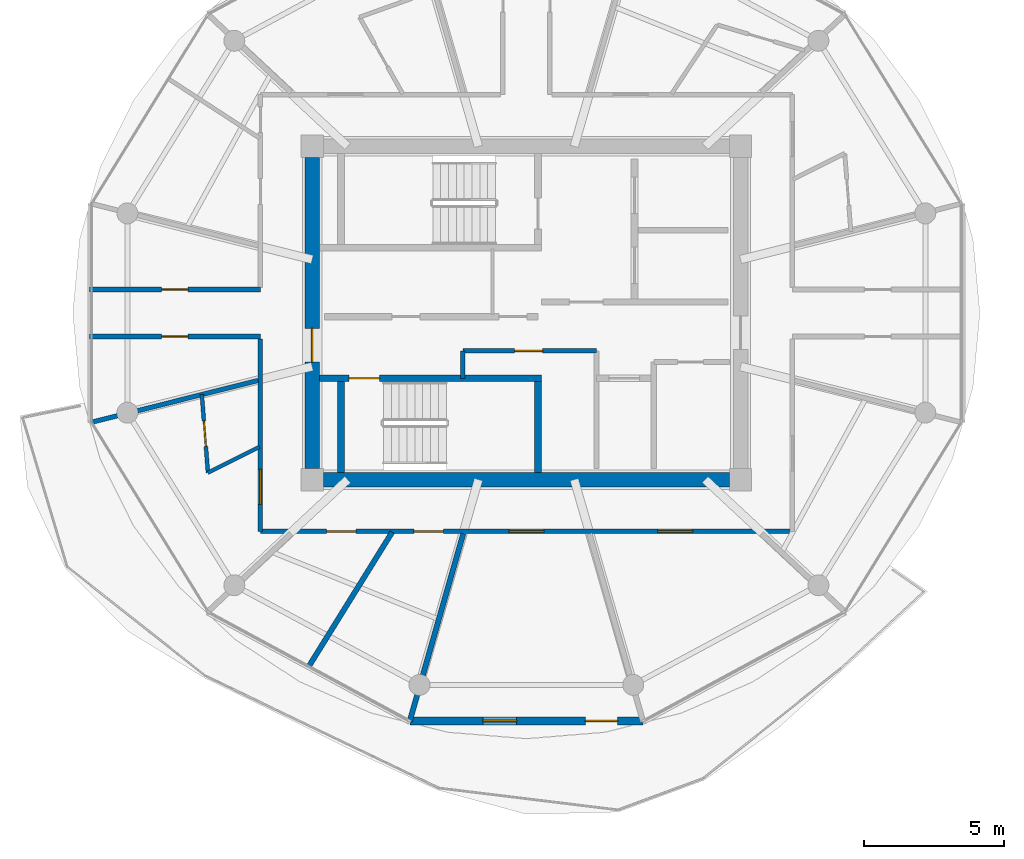
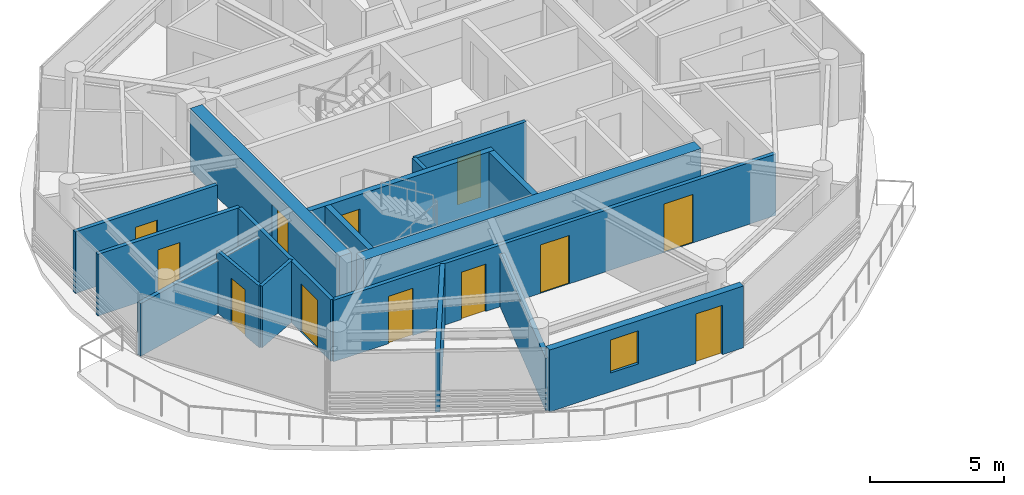
# One storey, part 9 of 19: 17 walls, 12 doors, 1 window, 13 openings.
"""IFC4 building model written with IfcOpenShell, lengths in metres."""

from ifc_helpers import new_model, si_unit, direction, frame, frame_2d, origin, place, context, subcontext, project, spatial, rectangle, extrude, source, transform, mapped, material, layer, layer_set, type_object, type_shapes, element, fill, save


model = new_model("IFC4")

# Units and contexts
model_context = context("Model", 3, precision=1e-05, world=origin(), true_north=direction((0.0, 1.0)))
body_context = subcontext(model_context, "Body", "Model", "MODEL_VIEW")
ifc_project = project(units=[si_unit("LENGTHUNIT", "METRE"), si_unit("AREAUNIT", "SQUARE_METRE"), si_unit("VOLUMEUNIT", "CUBIC_METRE"), si_unit("PLANEANGLEUNIT", "RADIAN"), si_unit("MASSUNIT", "GRAM", prefix="KILO")], contexts=[model_context])

# Site, building, storey
site_placement = place(None, origin())
site = spatial("IfcSite", under=ifc_project, at=site_placement, CompositionType="ELEMENT")
building_placement = place(site_placement, origin())
building = spatial("IfcBuilding", under=site, at=building_placement, Name="Norrkilde Senior Care Towers", CompositionType="ELEMENT")
storey_placement = place(building_placement, frame((0.0, 0.0, 235.25)))
storey = spatial("IfcBuildingStorey", under=building, at=storey_placement, Name="L73", CompositionType="ELEMENT", Elevation=235.25)

# Wall
ifc_material_1 = material(Name="Concrete C50/60", Category="concrete")
ifc_layer_1 = layer(ifc_material_1, 0.52001953125)
ifc_layer_set_1 = layer_set([ifc_layer_1], Name="Concrete C50/60")
wall_type_1 = type_object("IfcWallType", Name="Core Shear Wall Z4 520", PredefinedType="SHEAR", material=ifc_layer_set_1)
shared_shape_1 = source(origin(), body_context, "Body", "SweptSolid", [
    extrude(rectangle(XDim=14.5, YDim=0.52001953125, at=frame_2d((7.25, 0.0))), origin(), (0.0, 0.0, 1.0), 2.81005859375),
])
wall_1_placement = place(storey_placement, frame((-20.75, -5.949951171875, 0.0), z_axis=(0.0, 0.0, 1.0), x_axis=(-1.0, 0.0, 0.0)))
element("IfcWall", 1, at=wall_1_placement, inside=storey, type_object=wall_type_1, Name="L73 Core W South Shear Wall", PredefinedType="SHEAR", context=body_context, shape_type="MappedRepresentation", body=[
    mapped(shared_shape_1, transform((0.0, 0.0, 0.0), x_axis=(1.0, 0.0, 0.0), y_axis=(0.0, 1.0, 0.0), z_axis=(0.0, 0.0, 1.0), scale=1.0)),
])

# Wall, opening, door
shared_shape_2 = source(origin(), body_context, "Body", "SweptSolid", [
    extrude(rectangle(XDim=11.10009765625, YDim=0.52001953125, at=frame_2d((5.550048828125, 0.0))), origin(), (0.0, 0.0, 1.0), 2.81005859375),
])
type_shapes(wall_type_1, [shared_shape_1, shared_shape_2])
wall_2_placement = place(storey_placement, frame((-35.64990234375, -5.550048828125, 0.0), z_axis=(0.0, 0.0, 1.0), x_axis=(0.0, 1.0, 0.0)))
wall_2 = element("IfcWall", 2, at=wall_2_placement, inside=storey, type_object=wall_type_1, Name="L73 Core W West Shear Wall", PredefinedType="SHEAR", context=body_context, shape_type="MappedRepresentation", body=[
    mapped(shared_shape_2, transform((0.0, 0.0, 0.0), x_axis=(1.0, 0.0, 0.0), y_axis=(0.0, 1.0, 0.0), z_axis=(0.0, 0.0, 1.0), scale=1.0)),
])
opening_1_placement = place(wall_2_placement, frame((3.800048828125, 0.0, 0.0)))
opening_1 = element("IfcOpeningElement", 3, at=opening_1_placement, cuts=wall_2, Name="Opening D-04", PredefinedType="OPENING", context=body_context, shape_type="SweptSolid", body=[
    extrude(rectangle(XDim=1.199951171875, YDim=2.14990234375, at=frame_2d((0.60009765625, 1.074951171875))), frame((0.0, 0.27001953125, 0.0), z_axis=(0.0, -1.0, 0.0), x_axis=(1.0, 0.0, 0.0)), (0.0, 0.0, 1.0), 0.5400390625),
])
ifc_material_2 = material(Name="Galvanised Painted Steel", Category="steel")
door_type_1 = type_object("IfcDoorType", Name="Firefighting Lobby Fire Door 1200x2150", OperationType="NOTDEFINED", PredefinedType="DOOR", material=ifc_material_2)
shared_shape_3 = source(origin(), body_context, "Body", "SweptSolid", [
    extrude(rectangle(XDim=1.199951171875, YDim=2.14990234375, at=frame_2d((0.60009765625, 1.074951171875))), frame((0.0, 0.02490234375, 0.0), z_axis=(0.0, -1.0, 0.0), x_axis=(1.0, 0.0, 0.0)), (0.0, 0.0, 1.0), 0.050048828125),
])
type_shapes(door_type_1, [shared_shape_3])
door_1_placement = place(opening_1_placement, frame((1.199951171875, 0.0, 0.0), z_axis=(0.0, 0.0, 1.0), x_axis=(-1.0, 0.0, 0.0)))
door_1 = element("IfcDoor", 4, at=door_1_placement, inside=storey, type_object=door_type_1, Name="L73 Core W West Portal Door", OperationType="SINGLE_SWING_LEFT", OverallHeight=2.14990234375, OverallWidth=1.199951171875, PredefinedType="DOOR", context=body_context, shape_type="MappedRepresentation", body=[
    mapped(shared_shape_3, transform((0.0, 0.0, 0.0), x_axis=(1.0, 0.0, 0.0), y_axis=(0.0, 1.0, 0.0), z_axis=(0.0, 0.0, 1.0), scale=1.0)),
])
fill(opening_1, door_1)

# Wall, openings, door, window
ifc_material_3 = material(Name="Precast concrete C45/55", Category="concrete")
ifc_layer_2 = layer(ifc_material_3, 0.2900390625)
ifc_layer_set_2 = layer_set([ifc_layer_2], Name="Precast concrete C45/55")
wall_type_2 = type_object("IfcWallType", Name="Winter Garden Facade Wall 290", PredefinedType="SOLIDWALL", material=ifc_layer_set_2)
shared_shape_4 = source(origin(), body_context, "Body", "SweptSolid", [
    extrude(rectangle(XDim=8.32373046875, YDim=0.2900390625, at=frame_2d((4.161865234375, 0.0))), origin(), (0.0, 0.0, 1.0), 2.81005859375),
])
type_shapes(wall_type_2, [shared_shape_4])
wall_3_placement = place(storey_placement, frame((-23.838134765625, -14.566162109375, 0.0), z_axis=(0.0, 0.0, 1.0), x_axis=(-1.0, 0.0, 0.0)))
wall_3 = element("IfcWall", 5, at=wall_3_placement, inside=storey, type_object=wall_type_2, Name="L73 Drum W Balcony Access Wall 08", PredefinedType="SOLIDWALL", context=body_context, shape_type="MappedRepresentation", body=[
    mapped(shared_shape_4, transform((0.0, 0.0, 0.0), x_axis=(1.0, 0.0, 0.0), y_axis=(0.0, 1.0, 0.0), z_axis=(0.0, 0.0, 1.0), scale=1.0)),
])
opening_2_placement = place(wall_3_placement, frame((0.89990234375, 0.0, 0.0)))
opening_2 = element("IfcOpeningElement", 6, at=opening_2_placement, cuts=wall_3, Name="Opening D-09", PredefinedType="OPENING", context=body_context, shape_type="SweptSolid", body=[
    extrude(rectangle(XDim=1.14990234375, YDim=2.25, at=frame_2d((0.574951171875, 1.125))), frame((0.0, 0.155029296875, 0.0), z_axis=(0.0, -1.0, 0.0), x_axis=(1.0, 0.0, 0.0)), (0.0, 0.0, 1.0), 0.31005859375),
])
opening_3_placement = place(wall_3_placement, frame((4.51171875, 0.0, 0.85009765625)))
opening_3 = element("IfcOpeningElement", 7, at=opening_3_placement, cuts=wall_3, Name="Opening WN-07", PredefinedType="OPENING", context=body_context, shape_type="SweptSolid", body=[
    extrude(rectangle(XDim=1.199951171875, YDim=1.5, at=frame_2d((0.60009765625, 0.75))), frame((0.0, 0.155029296875, 0.0), z_axis=(0.0, -1.0, 0.0), x_axis=(1.0, 0.0, 0.0)), (0.0, 0.0, 1.0), 0.31005859375),
])
ifc_material_4 = material(Name="Anodised Aluminium", Category="aluminium")
door_type_2 = type_object("IfcDoorType", Name="Terrace and Balcony Glazed Door 1150x2250", OperationType="NOTDEFINED", PredefinedType="DOOR", material=ifc_material_4)
shared_shape_5 = source(origin(), body_context, "Body", "SweptSolid", [
    extrude(rectangle(XDim=1.14990234375, YDim=2.25, at=frame_2d((0.574951171875, 1.125))), frame((0.0, 0.02490234375, 0.0), z_axis=(0.0, -1.0, 0.0), x_axis=(1.0, 0.0, 0.0)), (0.0, 0.0, 1.0), 0.050048828125),
])
type_shapes(door_type_2, [shared_shape_5])
door_2_placement = place(opening_2_placement, origin())
door_2 = element("IfcDoor", 8, at=door_2_placement, inside=storey, type_object=door_type_2, Name="L73 Drum W Outdoor Terrace Door 08", OperationType="SINGLE_SWING_LEFT", OverallHeight=2.25, OverallWidth=1.14990234375, PredefinedType="DOOR", context=body_context, shape_type="MappedRepresentation", body=[
    mapped(shared_shape_5, transform((0.0, 0.0, 0.0), x_axis=(1.0, 0.0, 0.0), y_axis=(0.0, 1.0, 0.0), z_axis=(0.0, 0.0, 1.0), scale=1.0)),
])
fill(opening_2, door_2)
ifc_material_5 = material(Name="Triple Low-E Insulated Glazing", Category="glass")
window_type = type_object("IfcWindowType", Name="Stairwell Smoke Vent Window 1200x1500", PartitioningType="SINGLE_PANEL", PredefinedType="WINDOW", material=ifc_material_5)
shared_shape_6 = source(origin(), body_context, "Body", "SweptSolid", [
    extrude(rectangle(XDim=1.199951171875, YDim=1.5, at=frame_2d((0.60009765625, 0.75))), frame((0.0, 0.030029296875, 0.0), z_axis=(0.0, -1.0, 0.0), x_axis=(1.0, 0.0, 0.0)), (0.0, 0.0, 1.0), 0.06005859375),
])
type_shapes(window_type, [shared_shape_6])
window_placement = place(opening_3_placement, origin())
window = element("IfcWindow", 9, at=window_placement, inside=storey, type_object=window_type, Name="L73 Drum W Winter Garden Window 08", OverallHeight=1.5, OverallWidth=1.199951171875, PartitioningType="SINGLE_PANEL", PredefinedType="WINDOW", context=body_context, shape_type="MappedRepresentation", body=[
    mapped(shared_shape_6, transform((0.0, 0.0, 0.0), x_axis=(1.0, 0.0, 0.0), y_axis=(0.0, 1.0, 0.0), z_axis=(0.0, 0.0, 1.0), scale=1.0)),
])
fill(opening_3, window)

# Wall, opening, door
ifc_material_6 = material(Name="Gypsum Acoustic Board")
ifc_layer_3 = layer(ifc_material_6, 0.1650390625)
ifc_layer_set_3 = layer_set([ifc_layer_3], Name="Gypsum Acoustic Board")
wall_type_3 = type_object("IfcWallType", Name="Corridor Rated Partition 165", PredefinedType="PARTITIONING", material=ifc_layer_set_3)
shared_shape_7 = source(origin(), body_context, "Body", "SweptSolid", [
    extrude(rectangle(XDim=4.77001953125, YDim=0.1650390625, at=frame_2d((2.385009765625, 0.0))), origin(), (0.0, 0.0, 1.0), 2.794921875),
])
wall_4_placement = place(storey_placement, frame((-30.27001953125, -1.35009765625, 0.0), z_axis=(0.0, 0.0, 1.0), x_axis=(1.0, 0.0, 0.0)))
wall_4 = element("IfcWall", 10, at=wall_4_placement, inside=storey, type_object=wall_type_3, Name="WL-INT-L73-W-FR2N", PredefinedType="PARTITIONING", context=body_context, shape_type="MappedRepresentation", body=[
    mapped(shared_shape_7, transform((0.0, 0.0, 0.0), x_axis=(1.0, 0.0, 0.0), y_axis=(0.0, 1.0, 0.0), z_axis=(0.0, 0.0, 1.0), scale=1.0)),
])
opening_4_placement = place(wall_4_placement, frame((1.85009765625, 0.0, 0.0)))
opening_4 = element("IfcOpeningElement", 11, at=opening_4_placement, cuts=wall_4, Name="Opening D-10", PredefinedType="OPENING", context=body_context, shape_type="SweptSolid", body=[
    extrude(rectangle(XDim=1.0, YDim=2.10009765625, at=frame_2d((0.5, 1.050048828125))), frame((0.0, 0.092529296875, 0.0), z_axis=(0.0, -1.0, 0.0), x_axis=(1.0, 0.0, 0.0)), (0.0, 0.0, 1.0), 0.18505859375),
])
door_type_3 = type_object("IfcDoorType", Name="Plant and Riser Rated Door 1000x2100", OperationType="NOTDEFINED", PredefinedType="DOOR", material=ifc_material_2)
shared_shape_8 = source(origin(), body_context, "Body", "SweptSolid", [
    extrude(rectangle(XDim=1.0, YDim=2.10009765625, at=frame_2d((0.5, 1.050048828125))), frame((0.0, 0.02490234375, 0.0), z_axis=(0.0, -1.0, 0.0), x_axis=(1.0, 0.0, 0.0)), (0.0, 0.0, 1.0), 0.050048828125),
])
type_shapes(door_type_3, [shared_shape_8])
door_3_placement = place(opening_4_placement, origin())
door_3 = element("IfcDoor", 12, at=door_3_placement, inside=storey, type_object=door_type_3, Name="L73 Core Pantry W Door", OperationType="SINGLE_SWING_RIGHT", OverallHeight=2.10009765625, OverallWidth=1.0, PredefinedType="DOOR", context=body_context, shape_type="MappedRepresentation", body=[
    mapped(shared_shape_8, transform((0.0, 0.0, 0.0), x_axis=(1.0, 0.0, 0.0), y_axis=(0.0, 1.0, 0.0), z_axis=(0.0, 0.0, 1.0), scale=1.0)),
])
fill(opening_4, door_3)

# Wall
shared_shape_9 = source(origin(), body_context, "Body", "SweptSolid", [
    extrude(rectangle(XDim=0.97998046875, YDim=0.1650390625, at=frame_2d((0.489990234375, 0.0))), origin(), (0.0, 0.0, 1.0), 2.794921875),
])
wall_5_placement = place(storey_placement, frame((-30.27001953125, -2.330078125, 0.0), z_axis=(0.0, 0.0, 1.0), x_axis=(0.0, 1.0, 0.0)))
element("IfcWall", 13, at=wall_5_placement, inside=storey, type_object=wall_type_3, Name="WL-INT-L73-W-FR2W", PredefinedType="PARTITIONING", context=body_context, shape_type="MappedRepresentation", body=[
    mapped(shared_shape_9, transform((0.0, 0.0, 0.0), x_axis=(1.0, 0.0, 0.0), y_axis=(0.0, 1.0, 0.0), z_axis=(0.0, 0.0, 1.0), scale=1.0)),
])

# Wall, openings, doors
shared_shape_10 = source(origin(), body_context, "Body", "SweptSolid", [
    extrude(rectangle(XDim=19.0, YDim=0.1650390625, at=frame_2d((9.5, 0.0))), origin(), (0.0, 0.0, 1.0), 2.794921875),
])
wall_6_placement = place(storey_placement, frame((-18.5, -7.800048828125, 0.0), z_axis=(0.0, 0.0, 1.0), x_axis=(-1.0, 0.0, 0.0)))
wall_6 = element("IfcWall", 14, at=wall_6_placement, inside=storey, type_object=wall_type_3, Name="WL-INT-L73-W-CRW-S-0", PredefinedType="PARTITIONING", context=body_context, shape_type="MappedRepresentation", body=[
    mapped(shared_shape_10, transform((0.0, 0.0, 0.0), x_axis=(1.0, 0.0, 0.0), y_axis=(0.0, 1.0, 0.0), z_axis=(0.0, 0.0, 1.0), scale=1.0)),
])
opening_5_placement = place(wall_6_placement, frame((15.586181640625, 0.0, 0.0)))
opening_5 = element("IfcOpeningElement", 15, at=opening_5_placement, cuts=wall_6, Name="Opening D-06", PredefinedType="OPENING", context=body_context, shape_type="SweptSolid", body=[
    extrude(rectangle(XDim=1.050048828125, YDim=2.14990234375, at=frame_2d((0.52490234375, 1.074951171875))), frame((0.0, 0.092529296875, 0.0), z_axis=(0.0, -1.0, 0.0), x_axis=(1.0, 0.0, 0.0)), (0.0, 0.0, 1.0), 0.18505859375),
])
opening_6_placement = place(wall_6_placement, frame((12.465087890625, 0.0, 0.0)))
opening_6 = element("IfcOpeningElement", 16, at=opening_6_placement, cuts=wall_6, Name="Opening D-06", PredefinedType="OPENING", context=body_context, shape_type="SweptSolid", body=[
    extrude(rectangle(XDim=1.050048828125, YDim=2.14990234375, at=frame_2d((0.52490234375, 1.074951171875))), frame((0.0, 0.092529296875, 0.0), z_axis=(0.0, -1.0, 0.0), x_axis=(1.0, 0.0, 0.0)), (0.0, 0.0, 1.0), 0.18505859375),
])
opening_7_placement = place(wall_6_placement, frame((8.875, 0.0, 0.0)))
opening_7 = element("IfcOpeningElement", 17, at=opening_7_placement, cuts=wall_6, Name="Opening D-05", PredefinedType="OPENING", context=body_context, shape_type="SweptSolid", body=[
    extrude(rectangle(XDim=1.25, YDim=2.199951171875, at=frame_2d((0.625, 1.10009765625))), frame((0.0, 0.092529296875, 0.0), z_axis=(0.0, -1.0, 0.0), x_axis=(1.0, 0.0, 0.0)), (0.0, 0.0, 1.0), 0.18505859375),
])
opening_8_placement = place(wall_6_placement, frame((3.55859375, 0.0, 0.0)))
opening_8 = element("IfcOpeningElement", 18, at=opening_8_placement, cuts=wall_6, Name="Opening D-05", PredefinedType="OPENING", context=body_context, shape_type="SweptSolid", body=[
    extrude(rectangle(XDim=1.25, YDim=2.199951171875, at=frame_2d((0.625, 1.10009765625))), frame((0.0, 0.092529296875, 0.0), z_axis=(0.0, -1.0, 0.0), x_axis=(1.0, 0.0, 0.0)), (0.0, 0.0, 1.0), 0.18505859375),
])
ifc_material_7 = material(Name="Nordic Ash Timber", Category="wood")
door_type_4 = type_object("IfcDoorType", Name="Care Bedroom Bariatric Door 1250x2200", OperationType="NOTDEFINED", PredefinedType="DOOR", material=ifc_material_7)
shared_shape_11 = source(origin(), body_context, "Body", "SweptSolid", [
    extrude(rectangle(XDim=1.25, YDim=2.199951171875, at=frame_2d((0.625, 1.10009765625))), frame((0.0, 0.02490234375, 0.0), z_axis=(0.0, -1.0, 0.0), x_axis=(1.0, 0.0, 0.0)), (0.0, 0.0, 1.0), 0.050048828125),
])
type_shapes(door_type_4, [shared_shape_11])
door_4_placement = place(opening_7_placement, frame((1.25, 0.0, 0.0), z_axis=(0.0, 0.0, 1.0), x_axis=(-1.0, 0.0, 0.0)))
door_4 = element("IfcDoor", 19, at=door_4_placement, inside=storey, type_object=door_type_4, Name="L73 Resident Therapeutic Day Lounge Door", OperationType="SINGLE_SWING_LEFT", OverallHeight=2.199951171875, OverallWidth=1.25, PredefinedType="DOOR", context=body_context, shape_type="MappedRepresentation", body=[
    mapped(shared_shape_11, transform((0.0, 0.0, 0.0), x_axis=(1.0, 0.0, 0.0), y_axis=(0.0, 1.0, 0.0), z_axis=(0.0, 0.0, 1.0), scale=1.0)),
])
fill(opening_7, door_4)
door_5_placement = place(opening_8_placement, frame((1.25, 0.0, 0.0), z_axis=(0.0, 0.0, 1.0), x_axis=(-1.0, 0.0, 0.0)))
door_5 = element("IfcDoor", 20, at=door_5_placement, inside=storey, type_object=door_type_4, Name="L73 Household Communal Dining Salon Door", OperationType="SINGLE_SWING_RIGHT", OverallHeight=2.199951171875, OverallWidth=1.25, PredefinedType="DOOR", context=body_context, shape_type="MappedRepresentation", body=[
    mapped(shared_shape_11, transform((0.0, 0.0, 0.0), x_axis=(1.0, 0.0, 0.0), y_axis=(0.0, 1.0, 0.0), z_axis=(0.0, 0.0, 1.0), scale=1.0)),
])
fill(opening_8, door_5)
door_type_5 = type_object("IfcDoorType", Name="Apartment Entrance Fire Door 1050x2150", OperationType="NOTDEFINED", PredefinedType="DOOR", material=ifc_material_7)
shared_shape_12 = source(origin(), body_context, "Body", "SweptSolid", [
    extrude(rectangle(XDim=1.050048828125, YDim=2.14990234375, at=frame_2d((0.52490234375, 1.074951171875))), frame((0.0, 0.02490234375, 0.0), z_axis=(0.0, -1.0, 0.0), x_axis=(1.0, 0.0, 0.0)), (0.0, 0.0, 1.0), 0.050048828125),
])
type_shapes(door_type_5, [shared_shape_12])
door_6_placement = place(opening_5_placement, frame((1.050048828125, 0.0, 0.0), z_axis=(0.0, 0.0, 1.0), x_axis=(-1.0, 0.0, 0.0)))
door_6 = element("IfcDoor", 21, at=door_6_placement, inside=storey, type_object=door_type_5, Name="L73 Physiotherapy Clinic 7A Door", OperationType="SINGLE_SWING_RIGHT", OverallHeight=2.14990234375, OverallWidth=1.050048828125, PredefinedType="DOOR", context=body_context, shape_type="MappedRepresentation", body=[
    mapped(shared_shape_12, transform((0.0, 0.0, 0.0), x_axis=(1.0, 0.0, 0.0), y_axis=(0.0, 1.0, 0.0), z_axis=(0.0, 0.0, 1.0), scale=1.0)),
])
fill(opening_5, door_6)
door_7_placement = place(opening_6_placement, frame((1.050048828125, 0.0, 0.0), z_axis=(0.0, 0.0, 1.0), x_axis=(-1.0, 0.0, 0.0)))
door_7 = element("IfcDoor", 22, at=door_7_placement, inside=storey, type_object=door_type_5, Name="L73 Assessment Clinic 7B Door", OperationType="SINGLE_SWING_LEFT", OverallHeight=2.14990234375, OverallWidth=1.050048828125, PredefinedType="DOOR", context=body_context, shape_type="MappedRepresentation", body=[
    mapped(shared_shape_12, transform((0.0, 0.0, 0.0), x_axis=(1.0, 0.0, 0.0), y_axis=(0.0, 1.0, 0.0), z_axis=(0.0, 0.0, 1.0), scale=1.0)),
])
fill(opening_6, door_7)

# Wall, opening, door
shared_shape_13 = source(origin(), body_context, "Body", "SweptSolid", [
    extrude(rectangle(XDim=6.880126953125, YDim=0.1650390625, at=frame_2d((3.43994140625, 0.0))), origin(), (0.0, 0.0, 1.0), 2.794921875),
])
wall_7_placement = place(storey_placement, frame((-37.5, -7.800048828125, 0.0), z_axis=(0.0, 0.0, 1.0), x_axis=(0.0, 1.0, 0.0)))
wall_7 = element("IfcWall", 23, at=wall_7_placement, inside=storey, type_object=wall_type_3, Name="WL-INT-L73-W-CRW-W-0", PredefinedType="PARTITIONING", context=body_context, shape_type="MappedRepresentation", body=[
    mapped(shared_shape_13, transform((0.0, 0.0, 0.0), x_axis=(1.0, 0.0, 0.0), y_axis=(0.0, 1.0, 0.0), z_axis=(0.0, 0.0, 1.0), scale=1.0)),
])
opening_9_placement = place(wall_7_placement, frame((0.96826171875, 0.0, 0.0)))
opening_9 = element("IfcOpeningElement", 24, at=opening_9_placement, cuts=wall_7, Name="Opening D-05", PredefinedType="OPENING", context=body_context, shape_type="SweptSolid", body=[
    extrude(rectangle(XDim=1.25, YDim=2.199951171875, at=frame_2d((0.625, 1.10009765625))), frame((0.0, 0.092529296875, 0.0), z_axis=(0.0, -1.0, 0.0), x_axis=(1.0, 0.0, 0.0)), (0.0, 0.0, 1.0), 0.18505859375),
])
door_8_placement = place(opening_9_placement, frame((1.25, 0.0, 0.0), z_axis=(0.0, 0.0, 1.0), x_axis=(-1.0, 0.0, 0.0)))
door_8 = element("IfcDoor", 25, at=door_8_placement, inside=storey, type_object=door_type_4, Name="L73 Care Suite 7306 Entrance Door", OperationType="SINGLE_SWING_LEFT", OverallHeight=2.199951171875, OverallWidth=1.25, PredefinedType="DOOR", context=body_context, shape_type="MappedRepresentation", body=[
    mapped(shared_shape_11, transform((0.0, 0.0, 0.0), x_axis=(1.0, 0.0, 0.0), y_axis=(0.0, 1.0, 0.0), z_axis=(0.0, 0.0, 1.0), scale=1.0)),
])
fill(opening_9, door_8)

ifc_material_8 = material(Name="Concrete C45/55", Category="concrete")
ifc_layer_4 = layer(ifc_material_8, 0.239990234375)
ifc_layer_set_4 = layer_set([ifc_layer_4], Name="Concrete C45/55")
wall_type_4 = type_object("IfcWallType", Name="Shaft and Stair Enclosure Wall 240", PredefinedType="PARTITIONING", material=ifc_layer_set_4)
shared_shape_14 = source(origin(), body_context, "Body", "SweptSolid", [
    extrude(rectangle(XDim=7.929931640625, YDim=0.239990234375, at=frame_2d((3.96484375, 0.0))), origin(), (0.0, 0.0, 1.0), 2.81005859375),
])
wall_8_placement = place(storey_placement, frame((-35.389892578125, -2.330078125, 0.0), z_axis=(0.0, 0.0, 1.0), x_axis=(1.0, 0.0, 0.0)))
wall_8 = element("IfcWall", 26, at=wall_8_placement, inside=storey, type_object=wall_type_4, Name="WL-INT-L73-W-ST2N", PredefinedType="PARTITIONING", context=body_context, shape_type="MappedRepresentation", body=[
    mapped(shared_shape_14, transform((0.0, 0.0, 0.0), x_axis=(1.0, 0.0, 0.0), y_axis=(0.0, 1.0, 0.0), z_axis=(0.0, 0.0, 1.0), scale=1.0)),
])
opening_10_placement = place(wall_8_placement, frame((1.050048828125, 0.0, 0.0)))
opening_10 = element("IfcOpeningElement", 27, at=opening_10_placement, cuts=wall_8, Name="Opening D-03", PredefinedType="OPENING", context=body_context, shape_type="SweptSolid", body=[
    extrude(rectangle(XDim=1.10009765625, YDim=2.14990234375, at=frame_2d((0.550048828125, 1.074951171875))), frame((0.0, 0.1298828125, 0.0), z_axis=(0.0, -1.0, 0.0), x_axis=(1.0, 0.0, 0.0)), (0.0, 0.0, 1.0), 0.260009765625),
])
door_type_6 = type_object("IfcDoorType", Name="Stairwell Protected Fire Door 1100x2150", OperationType="NOTDEFINED", PredefinedType="DOOR", material=ifc_material_2)
shared_shape_15 = source(origin(), body_context, "Body", "SweptSolid", [
    extrude(rectangle(XDim=1.10009765625, YDim=2.14990234375, at=frame_2d((0.550048828125, 1.074951171875))), frame((0.0, 0.02490234375, 0.0), z_axis=(0.0, -1.0, 0.0), x_axis=(1.0, 0.0, 0.0)), (0.0, 0.0, 1.0), 0.050048828125),
])
type_shapes(door_type_6, [shared_shape_15])
door_9_placement = place(opening_10_placement, frame((1.10009765625, 0.0, 0.0), z_axis=(0.0, 0.0, 1.0), x_axis=(-1.0, 0.0, 0.0)))
door_9 = element("IfcDoor", 28, at=door_9_placement, inside=storey, type_object=door_type_6, Name="L73 Stair W2 Fire Door", OperationType="SINGLE_SWING_RIGHT", OverallHeight=2.14990234375, OverallWidth=1.10009765625, PredefinedType="DOOR", context=body_context, shape_type="MappedRepresentation", body=[
    mapped(shared_shape_15, transform((0.0, 0.0, 0.0), x_axis=(1.0, 0.0, 0.0), y_axis=(0.0, 1.0, 0.0), z_axis=(0.0, 0.0, 1.0), scale=1.0)),
])
fill(opening_10, door_9)

# Walls
shared_shape_16 = source(origin(), body_context, "Body", "SweptSolid", [
    extrude(rectangle(XDim=3.239990234375, YDim=0.239990234375, at=frame_2d((1.6201171875, 0.0))), origin(), (0.0, 0.0, 1.0), 2.81005859375),
])
type_shapes(wall_type_4, [shared_shape_14, shared_shape_16])
for number, where, z_axis, x_axis, name in (
    (29, (-34.6201171875, -5.68994140625, 0.0), (0.0, 0.0, 1.0), (0.0, 1.0, 0.0), "WL-INT-L73-W-ST2W"),
    (30, (-27.580078125, -5.68994140625, 0.0), (0.0, 0.0, 1.0), (0.0, 1.0, 0.0), "WL-INT-L73-W-ST2E"),
):
    element("IfcWall", number, at=place(storey_placement, frame(where, z_axis=z_axis, x_axis=x_axis)), inside=storey, type_object=wall_type_4, Name=name, PredefinedType="PARTITIONING", context=body_context, shape_type="MappedRepresentation", body=[
        mapped(shared_shape_16, transform((0.0, 0.0, 0.0), x_axis=(1.0, 0.0, 0.0), y_axis=(0.0, 1.0, 0.0), z_axis=(0.0, 0.0, 1.0), scale=1.0)),
    ])
shared_shape_17 = source(origin(), body_context, "Body", "SweptSolid", [
    extrude(rectangle(XDim=6.1572265625, YDim=0.1650390625, at=frame_2d((3.07861328125, 0.0))), origin(), (0.0, 0.0, 1.0), 2.39501953125),
])
wall_9_placement = place(storey_placement, frame((-37.580078125, -2.407470703125, 0.0), z_axis=(0.0, 0.0, 1.0), x_axis=(-0.969840867184, -0.243738984038, 0.0)))
element("IfcWall", 31, at=wall_9_placement, inside=storey, type_object=wall_type_3, Name="WL-INT-L73-W-DEM-06-0", PredefinedType="PARTITIONING", context=body_context, shape_type="MappedRepresentation", body=[
    mapped(shared_shape_17, transform((0.0, 0.0, 0.0), x_axis=(1.0, 0.0, 0.0), y_axis=(0.0, 1.0, 0.0), z_axis=(0.0, 0.0, 1.0), scale=1.0)),
])
ifc_layer_5 = layer(ifc_material_6, 0.18994140625)
ifc_layer_set_5 = layer_set([ifc_layer_5], Name="Gypsum Acoustic Board")
wall_type_5 = type_object("IfcWallType", Name="Unit Demising Acoustic Wall 190", PredefinedType="PARTITIONING", material=ifc_layer_set_5)
shared_shape_18 = source(origin(), body_context, "Body", "SweptSolid", [
    extrude(rectangle(XDim=6.973876953125, YDim=0.18994140625, at=frame_2d((3.48681640625, 0.0))), origin(), (0.0, 0.0, 1.0), 2.39501953125),
])
wall_10_placement = place(storey_placement, frame((-30.251220703125, -7.8798828125, 0.0), z_axis=(0.0, 0.0, 1.0), x_axis=(-0.274707256801, -0.961527910703, 0.0)))
element("IfcWall", 32, at=wall_10_placement, inside=storey, type_object=wall_type_5, Name="WL-INT-L73-W-DEM-08-0", PredefinedType="PARTITIONING", context=body_context, shape_type="MappedRepresentation", body=[
    mapped(shared_shape_18, transform((0.0, 0.0, 0.0), x_axis=(1.0, 0.0, 0.0), y_axis=(0.0, 1.0, 0.0), z_axis=(0.0, 0.0, 1.0), scale=1.0)),
])

# Wall, opening, door
shared_shape_19 = source(origin(), body_context, "Body", "SweptSolid", [
    extrude(rectangle(XDim=6.101318359375, YDim=0.1650390625, at=frame_2d((3.05078125, 0.0))), origin(), (0.0, 0.0, 1.0), 2.794921875),
])
type_shapes(wall_type_3, [shared_shape_7, shared_shape_9, shared_shape_10, shared_shape_13, shared_shape_17, shared_shape_19])
wall_11_placement = place(storey_placement, frame((-43.601318359375, 0.840087890625, 0.0), z_axis=(0.0, 0.0, 1.0), x_axis=(1.0, 0.0, 0.0)))
wall_11 = element("IfcWall", 33, at=wall_11_placement, inside=storey, type_object=wall_type_3, Name="WL-INT-L73-W-SPK-W1-0", PredefinedType="PARTITIONING", context=body_context, shape_type="MappedRepresentation", body=[
    mapped(shared_shape_19, transform((0.0, 0.0, 0.0), x_axis=(1.0, 0.0, 0.0), y_axis=(0.0, 1.0, 0.0), z_axis=(0.0, 0.0, 1.0), scale=1.0)),
])
opening_11_placement = place(wall_11_placement, frame((2.57568359375, 0.0, 0.0)))
opening_11 = element("IfcOpeningElement", 34, at=opening_11_placement, cuts=wall_11, Name="Opening D-07", PredefinedType="OPENING", context=body_context, shape_type="SweptSolid", body=[
    extrude(rectangle(XDim=0.949951171875, YDim=2.10009765625, at=frame_2d((0.47509765625, 1.050048828125))), frame((0.0, 0.092529296875, 0.0), z_axis=(0.0, -1.0, 0.0), x_axis=(1.0, 0.0, 0.0)), (0.0, 0.0, 1.0), 0.18505859375),
])
door_type_7 = type_object("IfcDoorType", Name="Internal Suite Bedroom Door 950x2100", OperationType="NOTDEFINED", PredefinedType="DOOR", material=ifc_material_7)
shared_shape_20 = source(origin(), body_context, "Body", "SweptSolid", [
    extrude(rectangle(XDim=0.949951171875, YDim=2.10009765625, at=frame_2d((0.47509765625, 1.050048828125))), frame((0.0, 0.02490234375, 0.0), z_axis=(0.0, -1.0, 0.0), x_axis=(1.0, 0.0, 0.0)), (0.0, 0.0, 1.0), 0.050048828125),
])
type_shapes(door_type_7, [shared_shape_20])
door_10_placement = place(opening_11_placement, frame((0.949951171875, 0.0, 0.0), z_axis=(0.0, 0.0, 1.0), x_axis=(-1.0, 0.0, 0.0)))
door_10 = element("IfcDoor", 35, at=door_10_placement, inside=storey, type_object=door_type_7, Name="L73 Sun Reading Lounge 2 Door", OperationType="SINGLE_SWING_LEFT", OverallHeight=2.10009765625, OverallWidth=0.949951171875, PredefinedType="DOOR", context=body_context, shape_type="MappedRepresentation", body=[
    mapped(shared_shape_20, transform((0.0, 0.0, 0.0), x_axis=(1.0, 0.0, 0.0), y_axis=(0.0, 1.0, 0.0), z_axis=(0.0, 0.0, 1.0), scale=1.0)),
])
fill(opening_11, door_10)

wall_12_placement = place(storey_placement, frame((-37.5, -0.840087890625, 0.0), z_axis=(0.0, 0.0, 1.0), x_axis=(-1.0, 0.0, 0.0)))
wall_12 = element("IfcWall", 36, at=wall_12_placement, inside=storey, type_object=wall_type_3, Name="WL-INT-L73-W-SPK-W2-0", PredefinedType="PARTITIONING", context=body_context, shape_type="MappedRepresentation", body=[
    mapped(shared_shape_19, transform((0.0, 0.0, 0.0), x_axis=(1.0, 0.0, 0.0), y_axis=(0.0, 1.0, 0.0), z_axis=(0.0, 0.0, 1.0), scale=1.0)),
])
opening_12_placement = place(wall_12_placement, frame((2.57568359375, 0.0, 0.0)))
opening_12 = element("IfcOpeningElement", 37, at=opening_12_placement, cuts=wall_12, Name="Opening D-07", PredefinedType="OPENING", context=body_context, shape_type="SweptSolid", body=[
    extrude(rectangle(XDim=0.949951171875, YDim=2.10009765625, at=frame_2d((0.47509765625, 1.050048828125))), frame((0.0, 0.092529296875, 0.0), z_axis=(0.0, -1.0, 0.0), x_axis=(1.0, 0.0, 0.0)), (0.0, 0.0, 1.0), 0.18505859375),
])
door_11_placement = place(opening_12_placement, frame((0.949951171875, 0.0, 0.0), z_axis=(0.0, 0.0, 1.0), x_axis=(-1.0, 0.0, 0.0)))
door_11 = element("IfcDoor", 38, at=door_11_placement, inside=storey, type_object=door_type_7, Name="L73 Sun Reading Lounge 1 Door", OperationType="SINGLE_SWING_RIGHT", OverallHeight=2.10009765625, OverallWidth=0.949951171875, PredefinedType="DOOR", context=body_context, shape_type="MappedRepresentation", body=[
    mapped(shared_shape_20, transform((0.0, 0.0, 0.0), x_axis=(1.0, 0.0, 0.0), y_axis=(0.0, 1.0, 0.0), z_axis=(0.0, 0.0, 1.0), scale=1.0)),
])
fill(opening_12, door_11)

# Wall
ifc_layer_6 = layer(ifc_material_6, 0.139892578125)
ifc_layer_set_6 = layer_set([ifc_layer_6], Name="Gypsum Acoustic Board")
wall_type_6 = type_object("IfcWallType", Name="En-suite Wet Room Wall 140", PredefinedType="PARTITIONING", material=ifc_layer_set_6)
shared_shape_21 = source(origin(), body_context, "Body", "SweptSolid", [
    extrude(rectangle(XDim=2.059814453125, YDim=0.139892578125, at=frame_2d((1.02978515625, 0.0))), origin(), (0.0, 0.0, 1.0), 2.794921875),
])
wall_13_placement = place(storey_placement, frame((-37.530029296875, -4.7783203125, 0.0), z_axis=(0.0, 0.0, 1.0), x_axis=(-0.893952568722, -0.448161583444, 0.0)))
element("IfcWall", 39, at=wall_13_placement, inside=storey, type_object=wall_type_6, Name="WL-INT-L73-W-ES-06", PredefinedType="PARTITIONING", context=body_context, shape_type="MappedRepresentation", body=[
    mapped(shared_shape_21, transform((0.0, 0.0, 0.0), x_axis=(1.0, 0.0, 0.0), y_axis=(0.0, 1.0, 0.0), z_axis=(0.0, 0.0, 1.0), scale=1.0)),
])

# Wall, opening, door
shared_shape_22 = source(origin(), body_context, "Body", "SweptSolid", [
    extrude(rectangle(XDim=2.79833984375, YDim=0.139892578125, at=frame_2d((1.399169921875, 0.0))), origin(), (0.0, 0.0, 1.0), 2.794921875),
])
type_shapes(wall_type_6, [shared_shape_21, shared_shape_22])
wall_14_placement = place(storey_placement, frame((-39.371337890625, -5.701416015625, 0.0), z_axis=(0.0, 0.0, 1.0), x_axis=(-0.077823984089, 0.996967114553, 0.0)))
wall_14 = element("IfcWall", 40, at=wall_14_placement, inside=storey, type_object=wall_type_6, Name="WL-INT-L73-W-EF-06", PredefinedType="PARTITIONING", context=body_context, shape_type="MappedRepresentation", body=[
    mapped(shared_shape_22, transform((0.0, 0.0, 0.0), x_axis=(1.0, 0.0, 0.0), y_axis=(0.0, 1.0, 0.0), z_axis=(0.0, 0.0, 1.0), scale=1.0)),
])
opening_13_placement = place(wall_14_placement, frame((0.939208984375, 0.0, 0.0)))
opening_13 = element("IfcOpeningElement", 41, at=opening_13_placement, cuts=wall_14, Name="Opening D-08", PredefinedType="OPENING", context=body_context, shape_type="SweptSolid", body=[
    extrude(rectangle(XDim=0.919921875, YDim=2.10009765625, at=frame_2d((0.4599609375, 1.050048828125))), frame((0.0, 0.079833984375, 0.0), z_axis=(0.0, -1.0, 0.0), x_axis=(1.0, 0.0, 0.0)), (0.0, 0.0, 1.0), 0.159912109375),
])
door_type_8 = type_object("IfcDoorType", Name="Accessible Wet Room Door 920x2100", OperationType="NOTDEFINED", PredefinedType="DOOR", material=ifc_material_7)
shared_shape_23 = source(origin(), body_context, "Body", "SweptSolid", [
    extrude(rectangle(XDim=0.919921875, YDim=2.10009765625, at=frame_2d((0.4599609375, 1.050048828125))), frame((0.0, 0.02490234375, 0.0), z_axis=(0.0, -1.0, 0.0), x_axis=(1.0, 0.0, 0.0)), (0.0, 0.0, 1.0), 0.050048828125),
])
type_shapes(door_type_8, [shared_shape_23])
door_12_placement = place(opening_13_placement, origin())
door_12 = element("IfcDoor", 42, at=door_12_placement, inside=storey, type_object=door_type_8, Name="L73 Care Suite 7306 Bathroom Door", OperationType="SINGLE_SWING_RIGHT", OverallHeight=2.10009765625, OverallWidth=0.919921875, PredefinedType="DOOR", context=body_context, shape_type="MappedRepresentation", body=[
    mapped(shared_shape_23, transform((0.0, 0.0, 0.0), x_axis=(1.0, 0.0, 0.0), y_axis=(0.0, 1.0, 0.0), z_axis=(0.0, 0.0, 1.0), scale=1.0)),
])
fill(opening_13, door_12)

# Wall
shared_shape_24 = source(origin(), body_context, "Body", "SweptSolid", [
    extrude(rectangle(XDim=5.65185546875, YDim=0.18994140625, at=frame_2d((2.825927734375, 0.0))), origin(), (0.0, 0.0, 1.0), 2.794921875),
])
type_shapes(wall_type_5, [shared_shape_18, shared_shape_24])
wall_15_placement = place(storey_placement, frame((-32.7939453125, -7.830078125, 0.0), z_axis=(0.0, 0.0, 1.0), x_axis=(-0.527566076956, -0.84951399897, 0.0)))
element("IfcWall", 43, at=wall_15_placement, inside=storey, type_object=wall_type_5, Name="WL-INT-L73-W-MID-07", PredefinedType="PARTITIONING", context=body_context, shape_type="MappedRepresentation", body=[
    mapped(shared_shape_24, transform((0.0, 0.0, 0.0), x_axis=(1.0, 0.0, 0.0), y_axis=(0.0, 1.0, 0.0), z_axis=(0.0, 0.0, 1.0), scale=1.0)),
])

save(model, "model.ifc")
